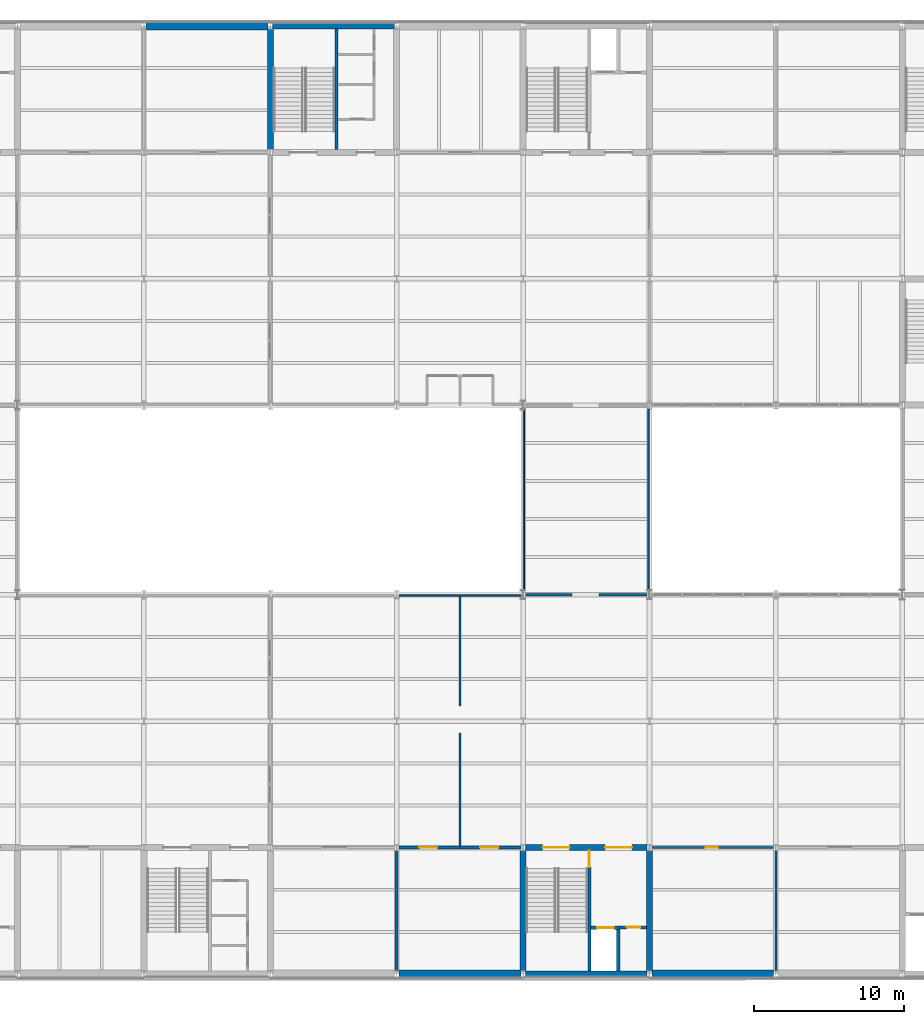
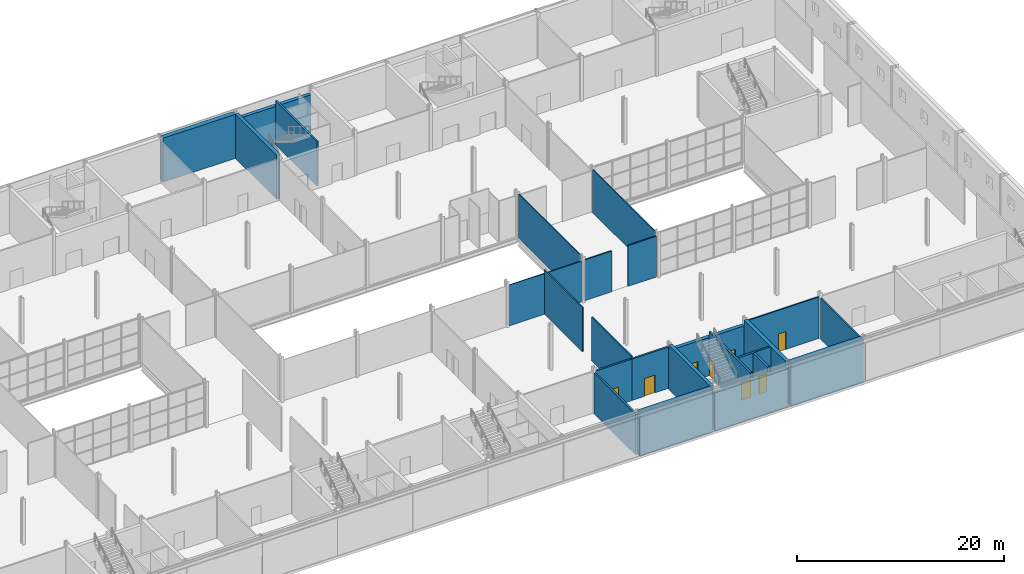
# One storey, part 32 of 57: 26 walls, 8 doors, 8 openings.
"""IFC4 building model written with IfcOpenShell, lengths in metres."""

from ifc_helpers import new_model, si_unit, direction, frame, frame_2d, origin, place, context, subcontext, project, spatial, rectangle, extrude, material, layer, layer_set, type_object, element, fill, save


model = new_model("IFC4")

# Units and contexts
model_context = context("Model", 3, precision=1e-05, world=origin(), true_north=direction((0.0, 1.0)))
body_context = subcontext(model_context, "Body", "Model", "MODEL_VIEW")
ifc_project = project(units=[si_unit("LENGTHUNIT", "METRE"), si_unit("AREAUNIT", "SQUARE_METRE"), si_unit("VOLUMEUNIT", "CUBIC_METRE"), si_unit("PLANEANGLEUNIT", "RADIAN"), si_unit("MASSUNIT", "GRAM", prefix="KILO")], contexts=[model_context])

# Site, building, storey
site_placement = place(None, origin())
site = spatial("IfcSite", under=ifc_project, at=site_placement, CompositionType="ELEMENT")
building_placement = place(site_placement, origin())
building = spatial("IfcBuilding", under=site, at=building_placement, Name="Galleria Vessillo Department Store", CompositionType="ELEMENT")
storey_placement = place(building_placement, frame((0.0, 0.0, 25.800048828125)))
storey = spatial("IfcBuildingStorey", under=building, at=storey_placement, Name="L05", CompositionType="ELEMENT", Elevation=25.800048828125)

# Walls
ifc_material_1 = material(Name="Fire-resisting glass in steel frame S355 J2", Category="steel")
ifc_layer_1 = layer(ifc_material_1, 0.10009765625)
ifc_layer_set_1 = layer_set([ifc_layer_1], Name="Fire-resisting glass in steel frame S355 J2")
wall_type_1 = type_object("IfcWallType", Name="Fire-resisting glazed screen EI 120-Sa 100 mm", PredefinedType="PARTITIONING", material=ifc_layer_set_1)
wall_1_placement = place(storey_placement, frame((67.35302734375, 25.14990234375, 0.0), z_axis=(0.0, 0.0, 1.0), x_axis=(1.0, 0.0, 0.0)))
element("IfcWall", 1, at=wall_1_placement, inside=storey, type_object=wall_type_1, Name="Fire screen, atrium edge L05", PredefinedType="PARTITIONING", context=body_context, shape_type="SweptSolid", body=[
    extrude(rectangle(XDim=8.094482421875, YDim=0.10009765625, at=frame_2d((4.04736328125, 0.0))), origin(), (0.0, 0.0, 1.0), 4.809814453125),
])
wall_2_placement = place(storey_placement, frame((75.64990234375, 25.510009765625, 0.0), z_axis=(0.0, 0.0, 1.0), x_axis=(0.0, 1.0, 0.0)))
element("IfcWall", 2, at=wall_2_placement, inside=storey, type_object=wall_type_1, Name="Fire screen, bridge face L05", PredefinedType="PARTITIONING", context=body_context, shape_type="SweptSolid", body=[
    extrude(rectangle(XDim=11.97998046875, YDim=0.10009765625, at=frame_2d((5.989990234375, 0.0))), origin(), (0.0, 0.0, 1.0), 5.174072265625),
])
wall_3_placement = place(storey_placement, frame((83.949951171875, 25.510009765625, 0.0), z_axis=(0.0, 0.0, 1.0), x_axis=(0.0, 1.0, 0.0)))
element("IfcWall", 3, at=wall_3_placement, inside=storey, type_object=wall_type_1, Name="Fire screen, bridge face L05", PredefinedType="PARTITIONING", context=body_context, shape_type="SweptSolid", body=[
    extrude(rectangle(XDim=12.051025390625, YDim=0.10009765625, at=frame_2d((6.025390625, 0.0))), origin(), (0.0, 0.0, 1.0), 5.10009765625),
])
ifc_material_2 = material(Name="Concrete blockwork", Category="masonry")
ifc_layer_2 = layer(ifc_material_2, 0.199951171875)
ifc_layer_set_2 = layer_set([ifc_layer_2], Name="Concrete blockwork")
wall_type_2 = type_object("IfcWallType", Name="Kitchen blockwork wall 200 mm", PredefinedType="SOLIDWALL", material=ifc_layer_set_2)
wall_4_placement = place(storey_placement, frame((67.199951171875, 0.199951171875, 0.0), z_axis=(0.0, 0.0, 1.0), x_axis=(0.0, 1.0, 0.0)))
element("IfcWall", 4, at=wall_4_placement, inside=storey, type_object=wall_type_2, Name="Partition wall PT8 on L05 no. 017", PredefinedType="SOLIDWALL", context=body_context, shape_type="SweptSolid", body=[
    extrude(rectangle(XDim=8.0, YDim=0.199951171875, at=frame_2d((4.0, 0.0))), origin(), (0.0, 0.0, 1.0), 4.809814453125),
])

# Wall, opening, door
wall_5_placement = place(storey_placement, frame((67.349853515625, 8.39990234375, 0.0), z_axis=(0.0, 0.0, 1.0), x_axis=(1.0, 0.0, 0.0)))
wall_5 = element("IfcWall", 5, at=wall_5_placement, inside=storey, type_object=wall_type_2, Name="Partition wall PT8 on L05 no. 019", PredefinedType="SOLIDWALL", context=body_context, shape_type="SweptSolid", body=[
    extrude(rectangle(XDim=4.050048828125, YDim=0.199951171875, at=frame_2d((2.02490234375, 0.0))), origin(), (0.0, 0.0, 1.0), 4.889892578125),
])
opening_1_placement = place(wall_5_placement, frame((1.35009765625, 0.0, 0.0)))
opening_1 = element("IfcOpeningElement", 6, at=opening_1_placement, cuts=wall_5, Name="Opening D2711", PredefinedType="OPENING", context=body_context, shape_type="SweptSolid", body=[
    extrude(rectangle(XDim=1.199951171875, YDim=2.10009765625, at=frame_2d((0.60009765625, 1.050048828125))), frame((0.0, 0.10986328125, 0.0), z_axis=(0.0, -1.0, 0.0), x_axis=(1.0, 0.0, 0.0)), (0.0, 0.0, 1.0), 0.219970703125),
])
ifc_material_3 = material(Name="Steel fire door leaf", Category="steel")
door_type_1 = type_object("IfcDoorType", Name="Kitchen fire door 1200", OperationType="SINGLE_SWING_LEFT", PredefinedType="DOOR", material=ifc_material_3)
door_1_placement = place(opening_1_placement, frame((1.199951171875, 0.0, 0.0), z_axis=(0.0, 0.0, 1.0), x_axis=(-1.0, 0.0, 0.0)))
door_1 = element("IfcDoor", 7, at=door_1_placement, inside=storey, type_object=door_type_1, Name="Door D2711", OperationType="SINGLE_SWING_LEFT", OverallHeight=2.10009765625, OverallWidth=1.199951171875, PredefinedType="DOOR", context=body_context, shape_type="SweptSolid", body=[
    extrude(rectangle(XDim=1.199951171875, YDim=2.10009765625, at=frame_2d((0.60009765625, 1.050048828125))), frame((0.0, 0.02490234375, 0.0), z_axis=(0.0, -1.0, 0.0), x_axis=(1.0, 0.0, 0.0)), (0.0, 0.0, 1.0), 0.050048828125),
])
fill(opening_1, door_1)

wall_6_placement = place(storey_placement, frame((71.39990234375, 8.39990234375, 0.0), z_axis=(0.0, 0.0, 1.0), x_axis=(1.0, 0.0, 0.0)))
wall_6 = element("IfcWall", 8, at=wall_6_placement, inside=storey, type_object=wall_type_2, Name="Partition wall PT8 on L05 no. 020", PredefinedType="SOLIDWALL", context=body_context, shape_type="SweptSolid", body=[
    extrude(rectangle(XDim=4.05029296875, YDim=0.199951171875, at=frame_2d((2.025146484375, 0.0))), origin(), (0.0, 0.0, 1.0), 4.889892578125),
])
opening_2_placement = place(wall_6_placement, frame((1.35009765625, 0.0, 0.0)))
opening_2 = element("IfcOpeningElement", 9, at=opening_2_placement, cuts=wall_6, Name="Opening D2712", PredefinedType="OPENING", context=body_context, shape_type="SweptSolid", body=[
    extrude(rectangle(XDim=1.199951171875, YDim=2.10009765625, at=frame_2d((0.60009765625, 1.050048828125))), frame((0.0, 0.10986328125, 0.0), z_axis=(0.0, -1.0, 0.0), x_axis=(1.0, 0.0, 0.0)), (0.0, 0.0, 1.0), 0.219970703125),
])
door_2_placement = place(opening_2_placement, frame((1.199951171875, 0.0, 0.0), z_axis=(0.0, 0.0, 1.0), x_axis=(-1.0, 0.0, 0.0)))
door_2 = element("IfcDoor", 10, at=door_2_placement, inside=storey, type_object=door_type_1, Name="Door D2712", OperationType="SINGLE_SWING_LEFT", OverallHeight=2.10009765625, OverallWidth=1.199951171875, PredefinedType="DOOR", context=body_context, shape_type="SweptSolid", body=[
    extrude(rectangle(XDim=1.199951171875, YDim=2.10009765625, at=frame_2d((0.60009765625, 1.050048828125))), frame((0.0, 0.02490234375, 0.0), z_axis=(0.0, -1.0, 0.0), x_axis=(1.0, 0.0, 0.0)), (0.0, 0.0, 1.0), 0.050048828125),
])
fill(opening_2, door_2)

ifc_material_4 = material(Name="Solid clay block masonry", Category="masonry")
ifc_layer_3 = layer(ifc_material_4, 0.25)
ifc_layer_set_3 = layer_set([ifc_layer_3], Name="Solid clay block masonry")
wall_type_3 = type_object("IfcWallType", Name="Lift shaft wall 250 mm", PredefinedType="SOLIDWALL", material=ifc_layer_set_3)
wall_7_placement = place(storey_placement, frame((80.10009765625, 3.074951171875, 0.0), z_axis=(0.0, 0.0, 1.0), x_axis=(1.0, 0.0, 0.0)))
wall_7 = element("IfcWall", 11, at=wall_7_placement, inside=storey, type_object=wall_type_3, Name="Lift shaft wall LP5 landing side L05", PredefinedType="SOLIDWALL", context=body_context, shape_type="SweptSolid", body=[
    extrude(rectangle(XDim=1.949951171875, YDim=0.25, at=frame_2d((0.97509765625, 0.0))), origin(), (0.0, 0.0, 1.0), 5.199951171875),
])
opening_3_placement = place(wall_7_placement, frame((0.4248046875, 0.0, 0.0)))
opening_3 = element("IfcOpeningElement", 12, at=opening_3_placement, cuts=wall_7, Name="Opening LD040", PredefinedType="OPENING", context=body_context, shape_type="SweptSolid", body=[
    extrude(rectangle(XDim=1.10009765625, YDim=2.10009765625, at=frame_2d((0.550048828125, 1.050048828125))), frame((0.0, 0.135009765625, 0.0), z_axis=(0.0, -1.0, 0.0), x_axis=(1.0, 0.0, 0.0)), (0.0, 0.0, 1.0), 0.27001953125),
])
ifc_material_5 = material(Name="Stainless steel lift door panel", Category="steel")
door_type_2 = type_object("IfcDoorType", Name="Lift landing door LD110 sliding 1100 x 2100", OperationType="SLIDING_TO_LEFT", PredefinedType="DOOR", material=ifc_material_5)
door_3_placement = place(opening_3_placement, origin())
door_3 = element("IfcDoor", 13, at=door_3_placement, inside=storey, type_object=door_type_2, Name="Lift landing door LP5 L05", OperationType="SLIDING_TO_LEFT", OverallHeight=2.10009765625, OverallWidth=1.10009765625, PredefinedType="DOOR", context=body_context, shape_type="SweptSolid", body=[
    extrude(rectangle(XDim=1.10009765625, YDim=2.10009765625, at=frame_2d((0.550048828125, 1.050048828125))), frame((0.0, 0.02490234375, 0.0), z_axis=(0.0, -1.0, 0.0), x_axis=(1.0, 0.0, 0.0)), (0.0, 0.0, 1.0), 0.050048828125),
])
fill(opening_3, door_3)

# Wall
wall_8_placement = place(storey_placement, frame((81.925048828125, 0.199951171875, 0.0), z_axis=(0.0, 0.0, 1.0), x_axis=(0.0, 1.0, 0.0)))
element("IfcWall", 14, at=wall_8_placement, inside=storey, type_object=wall_type_3, Name="Lift shaft wall LP5 L05", PredefinedType="SOLIDWALL", context=body_context, shape_type="SweptSolid", body=[
    extrude(rectangle(XDim=2.75, YDim=0.25, at=frame_2d((1.375, 0.0))), origin(), (0.0, 0.0, 1.0), 5.199951171875),
])

# Wall, openings, doors
ifc_material_6 = material(Name="Concrete C32/40 reinforced", Category="concrete")
ifc_layer_4 = layer(ifc_material_6, 0.39990234375)
ifc_layer_set_4 = layer_set([ifc_layer_4], Name="Concrete C32/40 reinforced")
wall_type_4 = type_object("IfcWallType", Name="Reinforced concrete core wall 400 mm", PredefinedType="SHEAR", material=ifc_layer_set_4)
wall_9_placement = place(storey_placement, frame((75.75, 8.39990234375, 0.0), z_axis=(0.0, 0.0, 1.0), x_axis=(1.0, 0.0, 0.0)))
wall_9 = element("IfcWall", 15, at=wall_9_placement, inside=storey, type_object=wall_type_4, Name="S-CW-PC-SE-INTERIOR-L05", PredefinedType="SHEAR", context=body_context, shape_type="SweptSolid", body=[
    extrude(rectangle(XDim=8.10009765625, YDim=0.39990234375, at=frame_2d((4.050048828125, 0.0))), origin(), (0.0, 0.0, 1.0), 4.510009765625),
])
opening_4_placement = place(wall_9_placement, frame((1.14990234375, 0.0, 0.0)))
opening_4 = element("IfcOpeningElement", 16, at=opening_4_placement, cuts=wall_9, Name="Opening D5156", PredefinedType="OPENING", context=body_context, shape_type="SweptSolid", body=[
    extrude(rectangle(XDim=1.800048828125, YDim=2.10009765625, at=frame_2d((0.89990234375, 1.050048828125))), frame((0.0, 0.2099609375, 0.0), z_axis=(0.0, -1.0, 0.0), x_axis=(1.0, 0.0, 0.0)), (0.0, 0.0, 1.0), 0.419921875),
])
opening_5_placement = place(wall_9_placement, frame((5.2998046875, 0.0, 0.0)))
opening_5 = element("IfcOpeningElement", 17, at=opening_5_placement, cuts=wall_9, Name="Opening D5157", PredefinedType="OPENING", context=body_context, shape_type="SweptSolid", body=[
    extrude(rectangle(XDim=1.800048828125, YDim=2.10009765625, at=frame_2d((0.89990234375, 1.050048828125))), frame((0.0, 0.2099609375, 0.0), z_axis=(0.0, -1.0, 0.0), x_axis=(1.0, 0.0, 0.0)), (0.0, 0.0, 1.0), 0.419921875),
])
ifc_material_7 = material(Name="Fire-rated steel door leaf", Category="steel")
door_type_3 = type_object("IfcDoorType", Name="Door D180F double leaf 1800 x 2100", OperationType="DOUBLE_DOOR_SINGLE_SWING", PredefinedType="DOOR", material=ifc_material_7)
door_4_placement = place(opening_4_placement, frame((1.800048828125, 0.0, 0.0), z_axis=(0.0, 0.0, 1.0), x_axis=(-1.0, 0.0, 0.0)))
door_4 = element("IfcDoor", 18, at=door_4_placement, inside=storey, type_object=door_type_3, Name="Lobby door PC-SE-ST-FLOOR L05", OperationType="DOUBLE_DOOR_SINGLE_SWING", OverallHeight=2.10009765625, OverallWidth=1.800048828125, PredefinedType="DOOR", context=body_context, shape_type="SweptSolid", body=[
    extrude(rectangle(XDim=1.800048828125, YDim=2.10009765625, at=frame_2d((0.89990234375, 1.050048828125))), frame((0.0, 0.02490234375, 0.0), z_axis=(0.0, -1.0, 0.0), x_axis=(1.0, 0.0, 0.0)), (0.0, 0.0, 1.0), 0.050048828125),
])
fill(opening_4, door_4)
door_5_placement = place(opening_5_placement, frame((1.800048828125, 0.0, 0.0), z_axis=(0.0, 0.0, 1.0), x_axis=(-1.0, 0.0, 0.0)))
door_5 = element("IfcDoor", 19, at=door_5_placement, inside=storey, type_object=door_type_3, Name="Lobby door PC-SE-LOBBY-FLOOR L05", OperationType="DOUBLE_DOOR_SINGLE_SWING", OverallHeight=2.10009765625, OverallWidth=1.800048828125, PredefinedType="DOOR", context=body_context, shape_type="SweptSolid", body=[
    extrude(rectangle(XDim=1.800048828125, YDim=2.10009765625, at=frame_2d((0.89990234375, 1.050048828125))), frame((0.0, 0.02490234375, 0.0), z_axis=(0.0, -1.0, 0.0), x_axis=(1.0, 0.0, 0.0)), (0.0, 0.0, 1.0), 0.050048828125),
])
fill(opening_5, door_5)

# Walls
for number, where, z_axis, x_axis, name in (
    (20, (75.60009765625, 0.199951171875, 0.0), (0.0, 0.0, 1.0), (0.0, 1.0, 0.0), "S-CW-PC-SE-WEST-L05"),
    (21, (84.0, 0.199951171875, 0.0), (0.0, 0.0, 1.0), (0.0, 1.0, 0.0), "S-CW-PC-SE-EAST-L05"),
    (22, (58.800048828125, 54.800048828125, 0.0), (0.0, 0.0, 1.0), (0.0, 1.0, 0.0), "S-CW-PC-NC-WEST-L05"),
):
    element("IfcWall", number, at=place(storey_placement, frame(where, z_axis=z_axis, x_axis=x_axis)), inside=storey, type_object=wall_type_4, Name=name, PredefinedType="SHEAR", context=body_context, shape_type="SweptSolid", body=[
        extrude(rectangle(XDim=8.0, YDim=0.39990234375, at=frame_2d((4.0, 0.0))), origin(), (0.0, 0.0, 1.0), 5.199951171875),
    ])
ifc_material_8 = material(Name="Concrete C32/40 reinforced", Category="concrete")
ifc_layer_5 = layer(ifc_material_8, 0.39990234375)
ifc_layer_set_5 = layer_set([ifc_layer_5], Name="Concrete C32/40 reinforced")
wall_type_5 = type_object("IfcWallType", Name="Reinforced concrete core wall 400 mm, external", PredefinedType="SHEAR", material=ifc_layer_set_5)
for number, where, z_axis, x_axis, name in (
    (23, (75.75, 0.0, 0.0), (0.0, 0.0, 1.0), (1.0, 0.0, 0.0), "S-CW-PC-SE-PARTY-L05"),
    (24, (58.949951171875, 63.0, 0.0), (0.0, 0.0, 1.0), (1.0, 0.0, 0.0), "S-CW-PC-NC-PARTY-L05"),
):
    element("IfcWall", number, at=place(storey_placement, frame(where, z_axis=z_axis, x_axis=x_axis)), inside=storey, type_object=wall_type_5, Name=name, PredefinedType="SHEAR", context=body_context, shape_type="SweptSolid", body=[
        extrude(rectangle(XDim=8.10009765625, YDim=0.39990234375, at=frame_2d((4.050048828125, 0.0))), origin(), (0.0, 0.0, 1.0), 4.510009765625),
    ])
ifc_material_9 = material(Name="Concrete C32/40 reinforced", Category="concrete")
ifc_layer_6 = layer(ifc_material_9, 0.5)
ifc_layer_set_6 = layer_set([ifc_layer_6], Name="Concrete C32/40 reinforced")
wall_type_6 = type_object("IfcWallType", Name="Reinforced concrete party wall 500 mm", PredefinedType="SHEAR", material=ifc_layer_set_6)
wall_10_placement = place(storey_placement, frame((67.349853515625, 0.0, 0.0), z_axis=(0.0, 0.0, 1.0), x_axis=(1.0, 0.0, 0.0)))
element("IfcWall", 25, at=wall_10_placement, inside=storey, type_object=wall_type_6, Name="S-PS-L05-06", PredefinedType="SHEAR", context=body_context, shape_type="SweptSolid", body=[
    extrude(rectangle(XDim=8.100341796875, YDim=0.5, at=frame_2d((4.05029296875, 0.0))), origin(), (0.0, 0.0, 1.0), 5.199951171875),
])
wall_11_placement = place(storey_placement, frame((84.14990234375, 0.0, 0.0), z_axis=(0.0, 0.0, 1.0), x_axis=(1.0, 0.0, 0.0)))
element("IfcWall", 26, at=wall_11_placement, inside=storey, type_object=wall_type_6, Name="S-PS-L05-07", PredefinedType="SHEAR", context=body_context, shape_type="SweptSolid", body=[
    extrude(rectangle(XDim=8.10009765625, YDim=0.5, at=frame_2d((4.050048828125, 0.0))), origin(), (0.0, 0.0, 1.0), 5.199951171875),
])
wall_12_placement = place(storey_placement, frame((50.5498046875, 63.0, 0.0), z_axis=(0.0, 0.0, 1.0), x_axis=(1.0, 0.0, 0.0)))
element("IfcWall", 27, at=wall_12_placement, inside=storey, type_object=wall_type_6, Name="S-PN-L05-05", PredefinedType="SHEAR", context=body_context, shape_type="SweptSolid", body=[
    extrude(rectangle(XDim=8.100341796875, YDim=0.5, at=frame_2d((4.05029296875, 0.0))), origin(), (0.0, 0.0, 1.0), 5.199951171875),
])

# Wall, opening, door
ifc_material_10 = material(Name="Concrete C32/40 reinforced", Category="concrete")
ifc_layer_7 = layer(ifc_material_10, 0.199951171875)
ifc_layer_set_7 = layer_set([ifc_layer_7], Name="Concrete C32/40 reinforced")
wall_type_7 = type_object("IfcWallType", Name="Reinforced concrete stair enclosure wall 200 mm", PredefinedType="SHEAR", material=ifc_layer_set_7)
wall_13_placement = place(storey_placement, frame((80.0, 0.199951171875, 0.0), z_axis=(0.0, 0.0, 1.0), x_axis=(0.0, 1.0, 0.0)))
wall_13 = element("IfcWall", 28, at=wall_13_placement, inside=storey, type_object=wall_type_7, Name="Stair enclosure wall PC-SE L05", PredefinedType="SHEAR", context=body_context, shape_type="SweptSolid", body=[
    extrude(rectangle(XDim=8.0, YDim=0.199951171875, at=frame_2d((4.0, 0.0))), origin(), (0.0, 0.0, 1.0), 5.199951171875),
])
opening_6_placement = place(wall_13_placement, frame((6.89990234375, 0.0, 0.0)))
opening_6 = element("IfcOpeningElement", 29, at=opening_6_placement, cuts=wall_13, Name="Opening D5154", PredefinedType="OPENING", context=body_context, shape_type="SweptSolid", body=[
    extrude(rectangle(XDim=1.11009765625, YDim=2.10009765625, at=frame_2d((0.554931640625, 1.050048828125))), frame((0.0, 0.10986328125, 0.0), z_axis=(0.0, -1.0, 0.0), x_axis=(1.0, 0.0, 0.0)), (0.0, 0.0, 1.0), 0.219970703125),
])
ifc_material_11 = material(Name="Fire-rated steel door leaf", Category="steel")
door_type_4 = type_object("IfcDoorType", Name="Door D110F stair door 1100 x 2100", OperationType="SINGLE_SWING_LEFT", PredefinedType="DOOR", material=ifc_material_11)
door_6_placement = place(opening_6_placement, origin())
door_6 = element("IfcDoor", 30, at=door_6_placement, inside=storey, type_object=door_type_4, Name="Stair door PC-SE-ST-LOBBY L05", OperationType="SINGLE_SWING_RIGHT", OverallHeight=2.10009765625, OverallWidth=1.10009765625, PredefinedType="DOOR", context=body_context, shape_type="SweptSolid", body=[
    extrude(rectangle(XDim=1.10009765625, YDim=2.10009765625, at=frame_2d((0.550048828125, 1.050048828125))), frame((0.0, 0.02490234375, 0.0), z_axis=(0.0, -1.0, 0.0), x_axis=(1.0, 0.0, 0.0)), (0.0, 0.0, 1.0), 0.050048828125),
])
fill(opening_6, door_6)

# Wall
wall_14_placement = place(storey_placement, frame((63.199951171875, 62.800048828125, 0.0), z_axis=(0.0, 0.0, 1.0), x_axis=(0.0, -1.0, 0.0)))
element("IfcWall", 31, at=wall_14_placement, inside=storey, type_object=wall_type_7, Name="Stair enclosure wall PC-NC L05", PredefinedType="SHEAR", context=body_context, shape_type="SweptSolid", body=[
    extrude(rectangle(XDim=8.0, YDim=0.199951171875, at=frame_2d((4.0, 0.0))), origin(), (0.0, 0.0, 1.0), 5.199951171875),
])

# Wall, opening, door
ifc_material_12 = material(Name="Hollow clay block masonry", Category="masonry")
ifc_layer_8 = layer(ifc_material_12, 0.199951171875)
ifc_layer_set_8 = layer_set([ifc_layer_8], Name="Hollow clay block masonry")
wall_type_8 = type_object("IfcWallType", Name="Riser and service room wall 200 mm", PredefinedType="PARTITIONING", material=ifc_layer_set_8)
wall_15_placement = place(storey_placement, frame((82.050048828125, 3.099853515625, 0.0), z_axis=(0.0, 0.0, 1.0), x_axis=(1.0, 0.0, 0.0)))
wall_15 = element("IfcWall", 32, at=wall_15_placement, inside=storey, type_object=wall_type_8, Name="Riser wall PC-SE-RISER L05", PredefinedType="PARTITIONING", context=body_context, shape_type="SweptSolid", body=[
    extrude(rectangle(XDim=1.75, YDim=0.199951171875, at=frame_2d((0.875, 0.0))), origin(), (0.0, 0.0, 1.0), 5.199951171875),
])
opening_7_placement = place(wall_15_placement, frame((0.449951171875, 0.0, 0.0)))
opening_7 = element("IfcOpeningElement", 33, at=opening_7_placement, cuts=wall_15, Name="Opening D5155", PredefinedType="OPENING", context=body_context, shape_type="SweptSolid", body=[
    extrude(rectangle(XDim=0.89990234375, YDim=2.10009765625, at=frame_2d((0.449951171875, 1.050048828125))), frame((0.0, 0.10986328125, 0.0), z_axis=(0.0, -1.0, 0.0), x_axis=(1.0, 0.0, 0.0)), (0.0, 0.0, 1.0), 0.219970703125),
])
ifc_material_13 = material(Name="Fire-rated steel door leaf", Category="steel")
door_type_5 = type_object("IfcDoorType", Name="Door DR90 riser access 900 x 2100", OperationType="SINGLE_SWING_LEFT", PredefinedType="DOOR", material=ifc_material_13)
door_7_placement = place(opening_7_placement, frame((0.89990234375, 0.0, 0.0), z_axis=(0.0, 0.0, 1.0), x_axis=(-1.0, 0.0, 0.0)))
door_7 = element("IfcDoor", 34, at=door_7_placement, inside=storey, type_object=door_type_5, Name="Riser door PC-SE-RISER-D L05", OperationType="SINGLE_SWING_LEFT", OverallHeight=2.10009765625, OverallWidth=0.89990234375, PredefinedType="DOOR", context=body_context, shape_type="SweptSolid", body=[
    extrude(rectangle(XDim=0.89990234375, YDim=2.10009765625, at=frame_2d((0.449951171875, 1.050048828125))), frame((0.0, 0.02490234375, 0.0), z_axis=(0.0, -1.0, 0.0), x_axis=(1.0, 0.0, 0.0)), (0.0, 0.0, 1.0), 0.050048828125),
])
fill(opening_7, door_7)

# Walls
ifc_material_14 = material(Name="Gypsum board partition")
ifc_layer_9 = layer(ifc_material_14, 0.139892578125)
ifc_layer_set_9 = layer_set([ifc_layer_9], Name="Gypsum board partition")
wall_type_9 = type_object("IfcWallType", Name="Sales dividing wall 140 mm", PredefinedType="PARTITIONING", material=ifc_layer_set_9)
wall_16_placement = place(storey_placement, frame((71.39990234375, 8.39990234375, 0.0), z_axis=(0.0, 0.0, 1.0), x_axis=(0.0, 1.0, 0.0)))
element("IfcWall", 35, at=wall_16_placement, inside=storey, type_object=wall_type_9, Name="Partition wall PT3 on L05 no. 047", PredefinedType="PARTITIONING", context=body_context, shape_type="SweptSolid", body=[
    extrude(rectangle(XDim=7.60009765625, YDim=0.139892578125, at=frame_2d((3.800048828125, 0.0))), origin(), (0.0, 0.0, 1.0), 5.199951171875),
])
wall_17_placement = place(storey_placement, frame((71.39990234375, 17.800048828125, 0.0), z_axis=(0.0, 0.0, 1.0), x_axis=(0.0, 1.0, 0.0)))
element("IfcWall", 36, at=wall_17_placement, inside=storey, type_object=wall_type_9, Name="Partition wall PT3 on L05 no. 048", PredefinedType="PARTITIONING", context=body_context, shape_type="SweptSolid", body=[
    extrude(rectangle(XDim=7.39990234375, YDim=0.139892578125, at=frame_2d((3.699951171875, 0.0))), origin(), (0.0, 0.0, 1.0), 5.199951171875),
])
wall_18_placement = place(storey_placement, frame((75.752685546875, 25.199951171875, 0.0), z_axis=(0.0, 0.0, 1.0), x_axis=(1.0, 0.0, 0.0)))
element("IfcWall", 37, at=wall_18_placement, inside=storey, type_object=wall_type_9, Name="Partition wall PT3 on L05 no. 049", PredefinedType="PARTITIONING", context=body_context, shape_type="SweptSolid", body=[
    extrude(rectangle(XDim=3.099853515625, YDim=0.139892578125, at=frame_2d((1.5498046875, 0.0))), origin(), (0.0, 0.0, 1.0), 4.809814453125),
])
wall_19_placement = place(storey_placement, frame((80.652587890625, 25.199951171875, 0.0), z_axis=(0.0, 0.0, 1.0), x_axis=(1.0, 0.0, 0.0)))
element("IfcWall", 38, at=wall_19_placement, inside=storey, type_object=wall_type_9, Name="Partition wall PT3 on L05 no. 050", PredefinedType="PARTITIONING", context=body_context, shape_type="SweptSolid", body=[
    extrude(rectangle(XDim=3.19482421875, YDim=0.139892578125, at=frame_2d((1.597412109375, 0.0))), origin(), (0.0, 0.0, 1.0), 4.809814453125),
])
ifc_material_15 = material(Name="Concrete blockwork", Category="masonry")
ifc_layer_10 = layer(ifc_material_15, 0.14990234375)
ifc_layer_set_10 = layer_set([ifc_layer_10], Name="Concrete blockwork")
wall_type_10 = type_object("IfcWallType", Name="Stockroom blockwork wall 150 mm", PredefinedType="SOLIDWALL", material=ifc_layer_set_10)
wall_20_placement = place(storey_placement, frame((92.39990234375, 0.199951171875, 0.0), z_axis=(0.0, 0.0, 1.0), x_axis=(0.0, 1.0, 0.0)))
element("IfcWall", 39, at=wall_20_placement, inside=storey, type_object=wall_type_10, Name="Partition wall PT4 on L05 no. 021", PredefinedType="SOLIDWALL", context=body_context, shape_type="SweptSolid", body=[
    extrude(rectangle(XDim=8.0, YDim=0.14990234375, at=frame_2d((4.0, 0.0))), origin(), (0.0, 0.0, 1.0), 4.809814453125),
])

# Wall, opening, door
wall_21_placement = place(storey_placement, frame((84.14990234375, 8.39990234375, 0.0), z_axis=(0.0, 0.0, 1.0), x_axis=(1.0, 0.0, 0.0)))
wall_21 = element("IfcWall", 40, at=wall_21_placement, inside=storey, type_object=wall_type_10, Name="Partition wall PT4 on L05 no. 022", PredefinedType="SOLIDWALL", context=body_context, shape_type="SweptSolid", body=[
    extrude(rectangle(XDim=8.10009765625, YDim=0.14990234375, at=frame_2d((4.050048828125, 0.0))), origin(), (0.0, 0.0, 1.0), 4.889892578125),
])
opening_8_placement = place(wall_21_placement, frame((3.60009765625, 0.0, 0.0)))
opening_8 = element("IfcOpeningElement", 41, at=opening_8_placement, cuts=wall_21, Name="Opening D2713", PredefinedType="OPENING", context=body_context, shape_type="SweptSolid", body=[
    extrude(rectangle(XDim=0.800048828125, YDim=2.10009765625, at=frame_2d((0.39990234375, 1.050048828125))), frame((0.0, 0.0849609375, 0.0), z_axis=(0.0, -1.0, 0.0), x_axis=(1.0, 0.0, 0.0)), (0.0, 0.0, 1.0), 0.169921875),
])
ifc_material_16 = material(Name="Steel fire door leaf", Category="steel")
door_type_6 = type_object("IfcDoorType", Name="Fire door 800 staff door", OperationType="SINGLE_SWING_LEFT", PredefinedType="DOOR", material=ifc_material_16)
door_8_placement = place(opening_8_placement, frame((0.800048828125, 0.0, 0.0), z_axis=(0.0, 0.0, 1.0), x_axis=(-1.0, 0.0, 0.0)))
door_8 = element("IfcDoor", 42, at=door_8_placement, inside=storey, type_object=door_type_6, Name="Door D2713", OperationType="SINGLE_SWING_RIGHT", OverallHeight=2.10009765625, OverallWidth=0.800048828125, PredefinedType="DOOR", context=body_context, shape_type="SweptSolid", body=[
    extrude(rectangle(XDim=0.800048828125, YDim=2.10009765625, at=frame_2d((0.39990234375, 1.050048828125))), frame((0.0, 0.02490234375, 0.0), z_axis=(0.0, -1.0, 0.0), x_axis=(1.0, 0.0, 0.0)), (0.0, 0.0, 1.0), 0.050048828125),
])
fill(opening_8, door_8)

save(model, "model.ifc")
